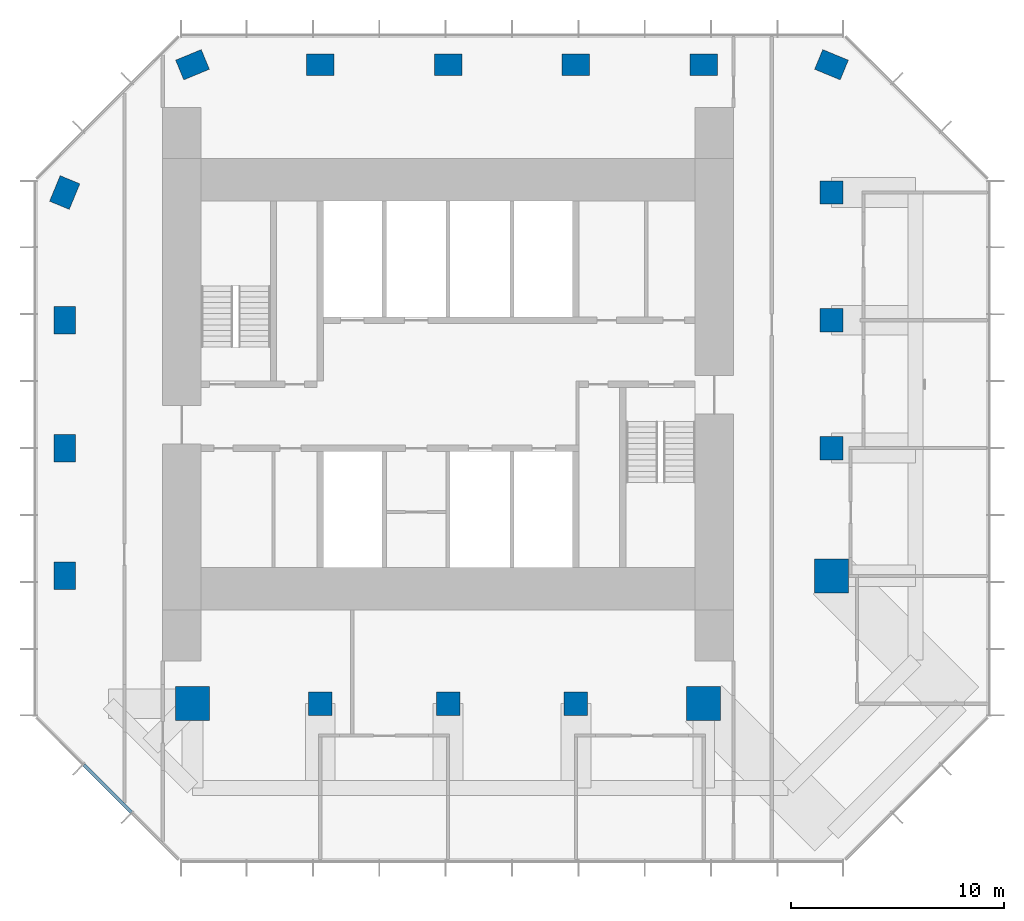
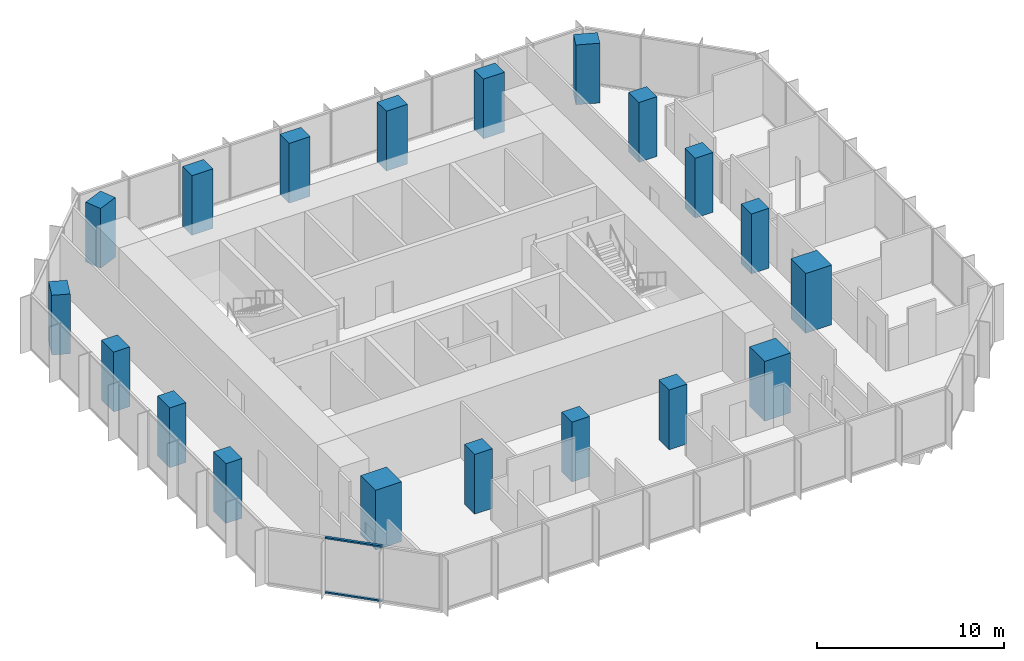
# One storey, part 1 of 11: 19 columns, 2 members, 1 element without a shape of its own.
"""IFC4 building model written with IfcOpenShell, lengths in metres."""

from ifc_helpers import new_model, si_unit, direction, frame, origin, origin_2d, place, context, subcontext, project, spatial, rectangle, extrude, material, layer, layer_set, material_profile, profile_set, type_object, element, aggregate, save


model = new_model("IFC4")

# Units and contexts
model_context = context("Model", 3, precision=1e-05, world=origin(), true_north=direction((0.0, 1.0)))
body_context = subcontext(model_context, "Body", "Model", "MODEL_VIEW")
ifc_project = project(units=[si_unit("LENGTHUNIT", "METRE"), si_unit("AREAUNIT", "SQUARE_METRE"), si_unit("VOLUMEUNIT", "CUBIC_METRE"), si_unit("PLANEANGLEUNIT", "RADIAN"), si_unit("MASSUNIT", "GRAM", prefix="KILO")], contexts=[model_context])

# Site, building, storey
site_placement = place(None, origin())
site = spatial("IfcSite", under=ifc_project, at=site_placement, CompositionType="ELEMENT")
building_placement = place(site_placement, origin())
building = spatial("IfcBuilding", under=site, at=building_placement, Name="Highveld Stack Headquarters", CompositionType="ELEMENT")
storey_placement = place(building_placement, frame((0.0, 0.0, 291.800048828125)))
storey = spatial("IfcBuildingStorey", under=building, at=storey_placement, Name="L72", CompositionType="ELEMENT", Elevation=291.800048828125)

# Columns
ifc_material_1 = material(Name="Concrete C60/75", Category="concrete")
ifc_material_profile_1 = material_profile(ifc_material_1, rectangle(XDim=1.10009765625, YDim=1.10009765625, at=origin_2d()), Name="RC 1100x1100")
ifc_profile_set_1 = profile_set([ifc_material_profile_1], Name="Concrete C60/75")
column_type_1 = type_object("IfcColumnType", Name="COLUMN RC 1100x1100 C60/75", PredefinedType="COLUMN", material=ifc_profile_set_1)
for number, where, z_axis, x_axis, name in (
    (1, (0.0, -12.0, 0.0), (0.0, 0.0, 1.0), (1.0, 0.0, 0.0), "Column 6/C L72"),
    (2, (6.0, -12.0, 0.0), (0.0, 0.0, 1.0), (1.0, 0.0, 0.0), "Column 7/C L72"),
    (3, (12.0, -12.0, 0.0), (0.0, 0.0, 1.0), (1.0, 0.0, 0.0), "Column 8/C L72"),
    (4, (24.0, 0.0, 0.0), (0.0, 0.0, 1.0), (1.0, 0.0, 0.0), "Column 10/E L72"),
    (5, (24.0, 6.0, 0.0), (0.0, 0.0, 1.0), (1.0, 0.0, 0.0), "Column 10/F L72"),
    (6, (24.0, 12.0, 0.0), (0.0, 0.0, 1.0), (1.0, 0.0, 0.0), "Column 10/G L72"),
):
    element("IfcColumn", number, at=place(storey_placement, frame(where, z_axis=z_axis, x_axis=x_axis)), inside=storey, type_object=column_type_1, Name=name, PredefinedType="COLUMN", context=body_context, shape_type="SweptSolid", body=[
        extrude(rectangle(XDim=1.10009765625, YDim=1.10009765625, at=origin_2d()), origin(), (0.0, 0.0, 1.0), 3.89990234375),
    ])
ifc_material_2 = material(Name="Concrete C60/75", Category="concrete")
ifc_material_profile_2 = material_profile(ifc_material_2, rectangle(XDim=1.300048828125, YDim=1.0, at=origin_2d()), Name="RC 1300x1000")
ifc_profile_set_2 = profile_set([ifc_material_profile_2], Name="Concrete C60/75")
column_type_2 = type_object("IfcColumnType", Name="COLUMN RC 1300x1000 C60/75", PredefinedType="COLUMN", material=ifc_profile_set_2)
for number, where, z_axis, x_axis, name in (
    (7, (-12.0, -6.0, 0.0), (0.0, 0.0, 1.0), (0.0, 1.0, 0.0), "Column 4/D L72"),
    (8, (-12.0, 0.0, 0.0), (0.0, 0.0, 1.0), (0.0, 1.0, 0.0), "Column 4/E L72"),
    (9, (-12.0, 6.0, 0.0), (0.0, 0.0, 1.0), (0.0, 1.0, 0.0), "Column 4/F L72"),
    (10, (-12.0, 12.0, 0.0), (0.0, 0.0, 1.0), (0.382683432365, 0.923879532511, 0.0), "Column 4/G L72"),
    (11, (-6.0, 18.0, 0.0), (0.0, 0.0, 1.0), (0.923879532511, 0.382683432365, 0.0), "Column 5/H L72"),
    (12, (0.0, 18.0, 0.0), (0.0, 0.0, 1.0), (1.0, 0.0, 0.0), "Column 6/H L72"),
    (13, (6.0, 18.0, 0.0), (0.0, 0.0, 1.0), (1.0, 0.0, 0.0), "Column 7/H L72"),
    (14, (12.0, 18.0, 0.0), (0.0, 0.0, 1.0), (1.0, 0.0, 0.0), "Column 8/H L72"),
    (15, (18.0, 18.0, 0.0), (0.0, 0.0, 1.0), (1.0, 0.0, 0.0), "Column 9/H L72"),
    (16, (24.0, 18.0, 0.0), (0.0, 0.0, 1.0), (0.923879532511, -0.382683432365, 0.0), "Column 10/H L72"),
):
    element("IfcColumn", number, at=place(storey_placement, frame(where, z_axis=z_axis, x_axis=x_axis)), inside=storey, type_object=column_type_2, Name=name, PredefinedType="COLUMN", context=body_context, shape_type="SweptSolid", body=[
        extrude(rectangle(XDim=1.300048828125, YDim=1.0, at=origin_2d()), origin(), (0.0, 0.0, 1.0), 3.89990234375),
    ])
ifc_material_3 = material(Name="Concrete C60/75", Category="concrete")
ifc_material_profile_3 = material_profile(ifc_material_3, rectangle(XDim=1.60009765625, YDim=1.60009765625, at=origin_2d()), Name="RC 1600x1600")
ifc_profile_set_3 = profile_set([ifc_material_profile_3], Name="Concrete C60/75")
column_type_3 = type_object("IfcColumnType", Name="COLUMN RC 1600x1600 C60/75", PredefinedType="COLUMN", material=ifc_profile_set_3)
for number, where, z_axis, x_axis, name in (
    (17, (-6.0, -12.0, 0.0), (0.0, 0.0, 1.0), (1.0, 0.0, 0.0), "Column 5/C L72"),
    (18, (18.0, -12.0, 0.0), (0.0, 0.0, 1.0), (1.0, 0.0, 0.0), "Column 9/C L72"),
    (19, (24.0, -6.0, 0.0), (0.0, 0.0, 1.0), (1.0, 0.0, 0.0), "Column 10/D L72"),
):
    element("IfcColumn", number, at=place(storey_placement, frame(where, z_axis=z_axis, x_axis=x_axis)), inside=storey, type_object=column_type_3, Name=name, PredefinedType="COLUMN", context=body_context, shape_type="SweptSolid", body=[
        extrude(rectangle(XDim=1.60009765625, YDim=1.60009765625, at=origin_2d()), origin(), (0.0, 0.0, 1.0), 3.89990234375),
    ])

# Curtain wall, members
ifc_material_4 = material(Name="Aluminium bronze anodised", Category="aluminium")
ifc_layer = layer(ifc_material_4, 0.199951171875)
ifc_layer_set = layer_set([ifc_layer], Name="Aluminium bronze anodised")
curtain_wall_type = type_object("IfcCurtainWallType", Name="CW5 EXECUTIVE UNITISED CURTAIN WALL", PredefinedType="NOTDEFINED", material=ifc_layer_set)
curtain_wall_placement = place(storey_placement, origin())
curtain_wall = element("IfcCurtainWall", 20, at=curtain_wall_placement, inside=storey, type_object=curtain_wall_type, Name="Curtain wall CW5 L72 SW", PredefinedType="NOTDEFINED")
ifc_material_5 = material(Name="Aluminium bronze anodised", Category="aluminium")
ifc_material_profile_4 = material_profile(ifc_material_5, rectangle(XDim=0.14990234375, YDim=0.10009765625, at=origin_2d()), Name="CW5 TRANSOM 150x100")
ifc_profile_set_4 = profile_set([ifc_material_profile_4], Name="Aluminium bronze anodised")
member_type = type_object("IfcMemberType", Name="CW5 STACK TRANSOM 150x100", PredefinedType="USERDEFINED", material=ifc_profile_set_4)
member_1_placement = place(storey_placement, frame((-11.103759765625, -14.876220703125, 0.050048828125), z_axis=(0.707106781187, -0.707106781187, 0.0), x_axis=(0.707106781187, 0.707106781187, 0.0)))
member_1 = element("IfcMember", 21, at=member_1_placement, type_object=member_type, Name="CW5 transom L72 2.1", ObjectType="TRANSOM", PredefinedType="USERDEFINED", context=body_context, shape_type="SweptSolid", body=[
    extrude(rectangle(XDim=0.14990234375, YDim=0.10009765625, at=origin_2d()), origin(), (0.0, 0.0, 1.0), 3.150146484375),
])
member_2_placement = place(storey_placement, frame((-11.103759765625, -14.876220703125, 3.599853515625), z_axis=(0.707106781187, -0.707106781187, 0.0), x_axis=(0.707106781187, 0.707106781187, 0.0)))
member_2 = element("IfcMember", 22, at=member_2_placement, type_object=member_type, Name="CW5 transom L72 2.2", ObjectType="TRANSOM", PredefinedType="USERDEFINED", context=body_context, shape_type="SweptSolid", body=[
    extrude(rectangle(XDim=0.14990234375, YDim=0.10009765625, at=origin_2d()), origin(), (0.0, 0.0, 1.0), 3.150146484375),
])
aggregate(curtain_wall, [member_1, member_2])

save(model, "model.ifc")
